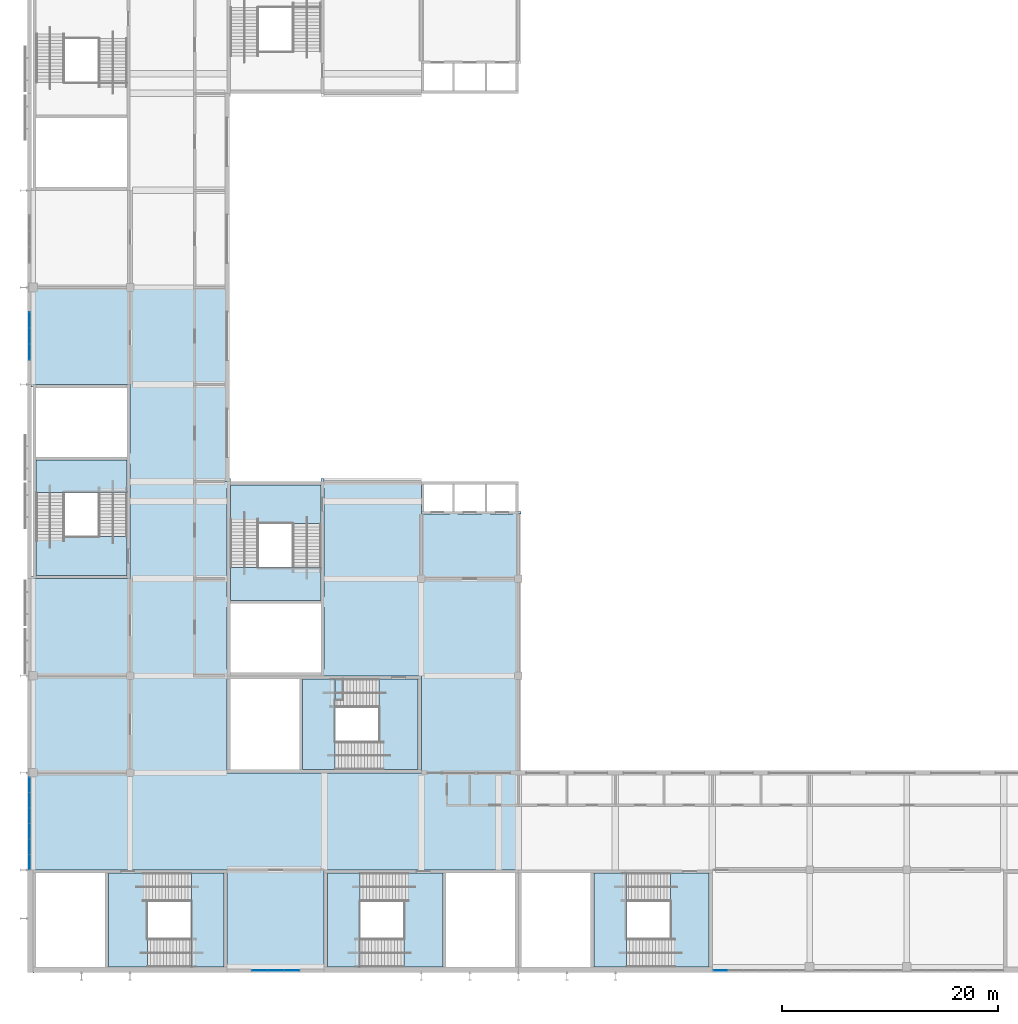
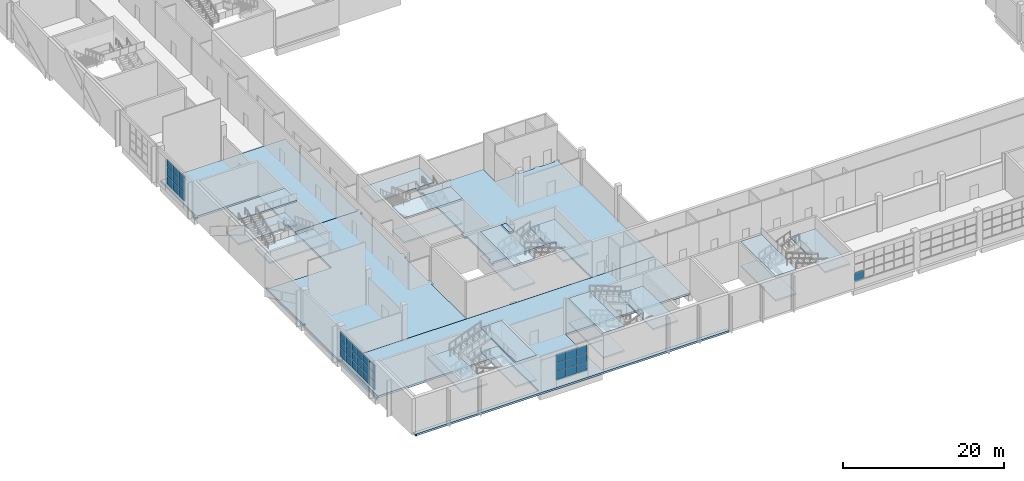
# One storey, part 26 of 84: 37 plates, 22 slabs, 10 elements without a shape of their own.
"""IFC4 building model written with IfcOpenShell, lengths in metres."""

from ifc_helpers import new_model, si_unit, direction, frame, origin, origin_2d, place, context, subcontext, project, spatial, polyline, rectangle, outline, extrude, material, layer, layer_set, type_object, element, aggregate, save


model = new_model("IFC4")

# Units and contexts
model_context = context("Model", 3, precision=1e-05, world=origin(), true_north=direction((0.0, 1.0)))
body_context = subcontext(model_context, "Body", "Model", "MODEL_VIEW")
ifc_project = project(units=[si_unit("LENGTHUNIT", "METRE"), si_unit("AREAUNIT", "SQUARE_METRE"), si_unit("VOLUMEUNIT", "CUBIC_METRE"), si_unit("PLANEANGLEUNIT", "RADIAN"), si_unit("MASSUNIT", "GRAM", prefix="KILO")], contexts=[model_context])

# Site, building, storey
site_placement = place(None, origin())
site = spatial("IfcSite", under=ifc_project, at=site_placement, CompositionType="ELEMENT")
building_placement = place(site_placement, origin())
building = spatial("IfcBuilding", under=site, at=building_placement, Name="Silverbay Arena", CompositionType="ELEMENT")
storey_placement = place(building_placement, frame((0.0, 0.0, 28.0)))
storey = spatial("IfcBuildingStorey", under=building, at=storey_placement, Name="L04", CompositionType="ELEMENT", Elevation=28.0)

# Curtain wall, plates
ifc_material_1 = material(Name="Aluminium framed curtain wall", Category="aluminium")
curtain_wall_type_1 = type_object("IfcCurtainWallType", Name="Curtain wall 4500 x 3900", PredefinedType="NOTDEFINED", material=ifc_material_1)
curtain_wall_1_placement = place(storey_placement, origin())
curtain_wall_1 = element("IfcCurtainWall", 1, at=curtain_wall_1_placement, inside=storey, type_object=curtain_wall_type_1, Name="South curtain wall L04 bay 3", PredefinedType="NOTDEFINED")
ifc_material_2 = material(Name="Laminated glass", Category="glass")
ifc_layer_1 = layer(ifc_material_2, 0.028076171875)
ifc_layer_set_1 = layer_set([ifc_layer_1], Name="Laminated glass")
plate_type = type_object("IfcPlateType", Name="Glass panel 28", PredefinedType="CURTAIN_PANEL", material=ifc_layer_set_1)
plate_1_placement = place(storey_placement, frame((75.014892578125, 17.669921875, 1.050048828125), z_axis=(0.0, 0.0, 1.0), x_axis=(1.0, 0.0, 0.0)))
plate_1 = element("IfcPlate", 2, at=plate_1_placement, type_object=plate_type, Name="CW15 panel 1.1", PredefinedType="CURTAIN_PANEL", context=body_context, shape_type="SweptSolid", body=[
    extrude(rectangle(XDim=1.409912109375, YDim=0.028076171875, at=origin_2d()), origin(), (0.0, 0.0, 1.0), 1.22509765625),
])
plate_2_placement = place(storey_placement, frame((75.014892578125, 17.669921875, 2.324951171875), z_axis=(0.0, 0.0, 1.0), x_axis=(1.0, 0.0, 0.0)))
plate_2 = element("IfcPlate", 3, at=plate_2_placement, type_object=plate_type, Name="CW15 panel 1.2", PredefinedType="CURTAIN_PANEL", context=body_context, shape_type="SweptSolid", body=[
    extrude(rectangle(XDim=1.409912109375, YDim=0.028076171875, at=origin_2d()), origin(), (0.0, 0.0, 1.0), 1.25),
])
plate_3_placement = place(storey_placement, frame((75.014892578125, 17.669921875, 3.625), z_axis=(0.0, 0.0, 1.0), x_axis=(1.0, 0.0, 0.0)))
plate_3 = element("IfcPlate", 4, at=plate_3_placement, type_object=plate_type, Name="CW15 panel 1.3", PredefinedType="CURTAIN_PANEL", context=body_context, shape_type="SweptSolid", body=[
    extrude(rectangle(XDim=1.409912109375, YDim=0.028076171875, at=origin_2d()), origin(), (0.0, 0.0, 1.0), 1.22509765625),
])
plate_4_placement = place(storey_placement, frame((76.5, 17.669921875, 1.050048828125), z_axis=(0.0, 0.0, 1.0), x_axis=(1.0, 0.0, 0.0)))
plate_4 = element("IfcPlate", 5, at=plate_4_placement, type_object=plate_type, Name="CW15 panel 2.1", PredefinedType="CURTAIN_PANEL", context=body_context, shape_type="SweptSolid", body=[
    extrude(rectangle(XDim=1.43994140625, YDim=0.028076171875, at=origin_2d()), origin(), (0.0, 0.0, 1.0), 1.22509765625),
])
plate_5_placement = place(storey_placement, frame((76.5, 17.669921875, 2.324951171875), z_axis=(0.0, 0.0, 1.0), x_axis=(1.0, 0.0, 0.0)))
plate_5 = element("IfcPlate", 6, at=plate_5_placement, type_object=plate_type, Name="CW15 panel 2.2", PredefinedType="CURTAIN_PANEL", context=body_context, shape_type="SweptSolid", body=[
    extrude(rectangle(XDim=1.43994140625, YDim=0.028076171875, at=origin_2d()), origin(), (0.0, 0.0, 1.0), 1.25),
])
plate_6_placement = place(storey_placement, frame((76.5, 17.669921875, 3.625), z_axis=(0.0, 0.0, 1.0), x_axis=(1.0, 0.0, 0.0)))
plate_6 = element("IfcPlate", 7, at=plate_6_placement, type_object=plate_type, Name="CW15 panel 2.3", PredefinedType="CURTAIN_PANEL", context=body_context, shape_type="SweptSolid", body=[
    extrude(rectangle(XDim=1.43994140625, YDim=0.028076171875, at=origin_2d()), origin(), (0.0, 0.0, 1.0), 1.22509765625),
])
plate_7_placement = place(storey_placement, frame((77.985107421875, 17.669921875, 1.050048828125), z_axis=(0.0, 0.0, 1.0), x_axis=(1.0, 0.0, 0.0)))
plate_7 = element("IfcPlate", 8, at=plate_7_placement, type_object=plate_type, Name="CW15 panel 3.1", PredefinedType="CURTAIN_PANEL", context=body_context, shape_type="SweptSolid", body=[
    extrude(rectangle(XDim=1.409912109375, YDim=0.028076171875, at=origin_2d()), origin(), (0.0, 0.0, 1.0), 1.22509765625),
])
plate_8_placement = place(storey_placement, frame((77.985107421875, 17.669921875, 2.324951171875), z_axis=(0.0, 0.0, 1.0), x_axis=(1.0, 0.0, 0.0)))
plate_8 = element("IfcPlate", 9, at=plate_8_placement, type_object=plate_type, Name="CW15 panel 3.2", PredefinedType="CURTAIN_PANEL", context=body_context, shape_type="SweptSolid", body=[
    extrude(rectangle(XDim=1.409912109375, YDim=0.028076171875, at=origin_2d()), origin(), (0.0, 0.0, 1.0), 1.25),
])
plate_9_placement = place(storey_placement, frame((77.985107421875, 17.669921875, 3.625), z_axis=(0.0, 0.0, 1.0), x_axis=(1.0, 0.0, 0.0)))
plate_9 = element("IfcPlate", 10, at=plate_9_placement, type_object=plate_type, Name="CW15 panel 3.3", PredefinedType="CURTAIN_PANEL", context=body_context, shape_type="SweptSolid", body=[
    extrude(rectangle(XDim=1.409912109375, YDim=0.028076171875, at=origin_2d()), origin(), (0.0, 0.0, 1.0), 1.22509765625),
])
aggregate(curtain_wall_1, [plate_1, plate_2, plate_3, plate_4, plate_5, plate_6, plate_7, plate_8, plate_9])

# Curtain wall, plate
ifc_material_3 = material(Name="Aluminium framed curtain wall", Category="aluminium")
curtain_wall_type_2 = type_object("IfcCurtainWallType", Name="Curtain wall 8600 x 3900", PredefinedType="NOTDEFINED", material=ifc_material_3)
curtain_wall_2_placement = place(storey_placement, origin())
curtain_wall_2 = element("IfcCurtainWall", 11, at=curtain_wall_2_placement, inside=storey, type_object=curtain_wall_type_2, Name="South curtain wall L04 bay 8", PredefinedType="NOTDEFINED")
plate_10_placement = place(storey_placement, frame((117.731689453125, 17.669921875, 1.050048828125), z_axis=(0.0, 0.0, 1.0), x_axis=(1.0, 0.0, 0.0)))
plate_10 = element("IfcPlate", 12, at=plate_10_placement, type_object=plate_type, Name="CW1 panel 1.1", PredefinedType="CURTAIN_PANEL", context=body_context, shape_type="SweptSolid", body=[
    extrude(rectangle(XDim=1.34326171875, YDim=0.028076171875, at=origin_2d()), origin(), (0.0, 0.0, 1.0), 1.22509765625),
])
aggregate(curtain_wall_2, [plate_10])

# Curtain wall, plates
curtain_wall_3_placement = place(storey_placement, origin())
curtain_wall_3 = element("IfcCurtainWall", 13, at=curtain_wall_3_placement, inside=storey, type_object=curtain_wall_type_2, Name="West curtain wall L04 bay 2", PredefinedType="NOTDEFINED")
plate_11_placement = place(storey_placement, frame((53.669921875, 34.868408203125, 1.050048828125), z_axis=(0.0, 0.0, 1.0), x_axis=(0.0, -1.0, 0.0)))
plate_11 = element("IfcPlate", 14, at=plate_11_placement, type_object=plate_type, Name="CW1 panel 1.1", PredefinedType="CURTAIN_PANEL", context=body_context, shape_type="SweptSolid", body=[
    extrude(rectangle(XDim=1.34326171875, YDim=0.028076171875, at=origin_2d()), origin(), (0.0, 0.0, 1.0), 1.22509765625),
])
plate_12_placement = place(storey_placement, frame((53.669921875, 34.868408203125, 2.324951171875), z_axis=(0.0, 0.0, 1.0), x_axis=(0.0, -1.0, 0.0)))
plate_12 = element("IfcPlate", 15, at=plate_12_placement, type_object=plate_type, Name="CW1 panel 1.2", PredefinedType="CURTAIN_PANEL", context=body_context, shape_type="SweptSolid", body=[
    extrude(rectangle(XDim=1.34326171875, YDim=0.028076171875, at=origin_2d()), origin(), (0.0, 0.0, 1.0), 1.25),
])
plate_13_placement = place(storey_placement, frame((53.669921875, 34.868408203125, 3.625), z_axis=(0.0, 0.0, 1.0), x_axis=(0.0, -1.0, 0.0)))
plate_13 = element("IfcPlate", 16, at=plate_13_placement, type_object=plate_type, Name="CW1 panel 1.3", PredefinedType="CURTAIN_PANEL", context=body_context, shape_type="SweptSolid", body=[
    extrude(rectangle(XDim=1.34326171875, YDim=0.028076171875, at=origin_2d()), origin(), (0.0, 0.0, 1.0), 1.22509765625),
])
plate_14_placement = place(storey_placement, frame((53.669921875, 33.449951171875, 1.050048828125), z_axis=(0.0, 0.0, 1.0), x_axis=(0.0, -1.0, 0.0)))
plate_14 = element("IfcPlate", 17, at=plate_14_placement, type_object=plate_type, Name="CW1 panel 2.1", PredefinedType="CURTAIN_PANEL", context=body_context, shape_type="SweptSolid", body=[
    extrude(rectangle(XDim=1.373291015625, YDim=0.028076171875, at=origin_2d()), origin(), (0.0, 0.0, 1.0), 1.22509765625),
])
plate_15_placement = place(storey_placement, frame((53.669921875, 33.449951171875, 2.324951171875), z_axis=(0.0, 0.0, 1.0), x_axis=(0.0, -1.0, 0.0)))
plate_15 = element("IfcPlate", 18, at=plate_15_placement, type_object=plate_type, Name="CW1 panel 2.2", PredefinedType="CURTAIN_PANEL", context=body_context, shape_type="SweptSolid", body=[
    extrude(rectangle(XDim=1.373291015625, YDim=0.028076171875, at=origin_2d()), origin(), (0.0, 0.0, 1.0), 1.25),
])
plate_16_placement = place(storey_placement, frame((53.669921875, 33.449951171875, 3.625), z_axis=(0.0, 0.0, 1.0), x_axis=(0.0, -1.0, 0.0)))
plate_16 = element("IfcPlate", 19, at=plate_16_placement, type_object=plate_type, Name="CW1 panel 2.3", PredefinedType="CURTAIN_PANEL", context=body_context, shape_type="SweptSolid", body=[
    extrude(rectangle(XDim=1.373291015625, YDim=0.028076171875, at=origin_2d()), origin(), (0.0, 0.0, 1.0), 1.22509765625),
])
plate_17_placement = place(storey_placement, frame((53.669921875, 32.0166015625, 1.050048828125), z_axis=(0.0, 0.0, 1.0), x_axis=(0.0, -1.0, 0.0)))
plate_17 = element("IfcPlate", 20, at=plate_17_placement, type_object=plate_type, Name="CW1 panel 3.1", PredefinedType="CURTAIN_PANEL", context=body_context, shape_type="SweptSolid", body=[
    extrude(rectangle(XDim=1.373291015625, YDim=0.028076171875, at=origin_2d()), origin(), (0.0, 0.0, 1.0), 1.22509765625),
])
plate_18_placement = place(storey_placement, frame((53.669921875, 32.0166015625, 2.324951171875), z_axis=(0.0, 0.0, 1.0), x_axis=(0.0, -1.0, 0.0)))
plate_18 = element("IfcPlate", 21, at=plate_18_placement, type_object=plate_type, Name="CW1 panel 3.2", PredefinedType="CURTAIN_PANEL", context=body_context, shape_type="SweptSolid", body=[
    extrude(rectangle(XDim=1.373291015625, YDim=0.028076171875, at=origin_2d()), origin(), (0.0, 0.0, 1.0), 1.25),
])
plate_19_placement = place(storey_placement, frame((53.669921875, 32.0166015625, 3.625), z_axis=(0.0, 0.0, 1.0), x_axis=(0.0, -1.0, 0.0)))
plate_19 = element("IfcPlate", 22, at=plate_19_placement, type_object=plate_type, Name="CW1 panel 3.3", PredefinedType="CURTAIN_PANEL", context=body_context, shape_type="SweptSolid", body=[
    extrude(rectangle(XDim=1.373291015625, YDim=0.028076171875, at=origin_2d()), origin(), (0.0, 0.0, 1.0), 1.22509765625),
])
plate_20_placement = place(storey_placement, frame((53.669921875, 30.583251953125, 1.050048828125), z_axis=(0.0, 0.0, 1.0), x_axis=(0.0, -1.0, 0.0)))
plate_20 = element("IfcPlate", 23, at=plate_20_placement, type_object=plate_type, Name="CW1 panel 4.1", PredefinedType="CURTAIN_PANEL", context=body_context, shape_type="SweptSolid", body=[
    extrude(rectangle(XDim=1.373291015625, YDim=0.028076171875, at=origin_2d()), origin(), (0.0, 0.0, 1.0), 1.22509765625),
])
plate_21_placement = place(storey_placement, frame((53.669921875, 30.583251953125, 2.324951171875), z_axis=(0.0, 0.0, 1.0), x_axis=(0.0, -1.0, 0.0)))
plate_21 = element("IfcPlate", 24, at=plate_21_placement, type_object=plate_type, Name="CW1 panel 4.2", PredefinedType="CURTAIN_PANEL", context=body_context, shape_type="SweptSolid", body=[
    extrude(rectangle(XDim=1.373291015625, YDim=0.028076171875, at=origin_2d()), origin(), (0.0, 0.0, 1.0), 1.25),
])
plate_22_placement = place(storey_placement, frame((53.669921875, 30.583251953125, 3.625), z_axis=(0.0, 0.0, 1.0), x_axis=(0.0, -1.0, 0.0)))
plate_22 = element("IfcPlate", 25, at=plate_22_placement, type_object=plate_type, Name="CW1 panel 4.3", PredefinedType="CURTAIN_PANEL", context=body_context, shape_type="SweptSolid", body=[
    extrude(rectangle(XDim=1.373291015625, YDim=0.028076171875, at=origin_2d()), origin(), (0.0, 0.0, 1.0), 1.22509765625),
])
plate_23_placement = place(storey_placement, frame((53.669921875, 29.14990234375, 1.050048828125), z_axis=(0.0, 0.0, 1.0), x_axis=(0.0, -1.0, 0.0)))
plate_23 = element("IfcPlate", 26, at=plate_23_placement, type_object=plate_type, Name="CW1 panel 5.1", PredefinedType="CURTAIN_PANEL", context=body_context, shape_type="SweptSolid", body=[
    extrude(rectangle(XDim=1.373291015625, YDim=0.028076171875, at=origin_2d()), origin(), (0.0, 0.0, 1.0), 1.22509765625),
])
plate_24_placement = place(storey_placement, frame((53.669921875, 29.14990234375, 2.324951171875), z_axis=(0.0, 0.0, 1.0), x_axis=(0.0, -1.0, 0.0)))
plate_24 = element("IfcPlate", 27, at=plate_24_placement, type_object=plate_type, Name="CW1 panel 5.2", PredefinedType="CURTAIN_PANEL", context=body_context, shape_type="SweptSolid", body=[
    extrude(rectangle(XDim=1.373291015625, YDim=0.028076171875, at=origin_2d()), origin(), (0.0, 0.0, 1.0), 1.25),
])
plate_25_placement = place(storey_placement, frame((53.669921875, 29.14990234375, 3.625), z_axis=(0.0, 0.0, 1.0), x_axis=(0.0, -1.0, 0.0)))
plate_25 = element("IfcPlate", 28, at=plate_25_placement, type_object=plate_type, Name="CW1 panel 5.3", PredefinedType="CURTAIN_PANEL", context=body_context, shape_type="SweptSolid", body=[
    extrude(rectangle(XDim=1.373291015625, YDim=0.028076171875, at=origin_2d()), origin(), (0.0, 0.0, 1.0), 1.22509765625),
])
plate_26_placement = place(storey_placement, frame((53.669921875, 27.731689453125, 1.050048828125), z_axis=(0.0, 0.0, 1.0), x_axis=(0.0, -1.0, 0.0)))
plate_26 = element("IfcPlate", 29, at=plate_26_placement, type_object=plate_type, Name="CW1 panel 6.1", PredefinedType="CURTAIN_PANEL", context=body_context, shape_type="SweptSolid", body=[
    extrude(rectangle(XDim=1.34326171875, YDim=0.028076171875, at=origin_2d()), origin(), (0.0, 0.0, 1.0), 1.22509765625),
])
plate_27_placement = place(storey_placement, frame((53.669921875, 27.731689453125, 2.324951171875), z_axis=(0.0, 0.0, 1.0), x_axis=(0.0, -1.0, 0.0)))
plate_27 = element("IfcPlate", 30, at=plate_27_placement, type_object=plate_type, Name="CW1 panel 6.2", PredefinedType="CURTAIN_PANEL", context=body_context, shape_type="SweptSolid", body=[
    extrude(rectangle(XDim=1.34326171875, YDim=0.028076171875, at=origin_2d()), origin(), (0.0, 0.0, 1.0), 1.25),
])
plate_28_placement = place(storey_placement, frame((53.669921875, 27.731689453125, 3.625), z_axis=(0.0, 0.0, 1.0), x_axis=(0.0, -1.0, 0.0)))
plate_28 = element("IfcPlate", 31, at=plate_28_placement, type_object=plate_type, Name="CW1 panel 6.3", PredefinedType="CURTAIN_PANEL", context=body_context, shape_type="SweptSolid", body=[
    extrude(rectangle(XDim=1.34326171875, YDim=0.028076171875, at=origin_2d()), origin(), (0.0, 0.0, 1.0), 1.22509765625),
])
aggregate(curtain_wall_3, [plate_11, plate_12, plate_13, plate_14, plate_15, plate_16, plate_17, plate_18, plate_19, plate_20, plate_21, plate_22, plate_23, plate_24, plate_25, plate_26, plate_27, plate_28])

curtain_wall_4_placement = place(storey_placement, origin())
curtain_wall_4 = element("IfcCurtainWall", 32, at=curtain_wall_4_placement, inside=storey, type_object=curtain_wall_type_1, Name="West curtain wall L04 bay 7", PredefinedType="NOTDEFINED")
plate_29_placement = place(storey_placement, frame((53.669921875, 77.985107421875, 1.050048828125), z_axis=(0.0, 0.0, 1.0), x_axis=(0.0, -1.0, 0.0)))
plate_29 = element("IfcPlate", 33, at=plate_29_placement, type_object=plate_type, Name="CW15 panel 1.1", PredefinedType="CURTAIN_PANEL", context=body_context, shape_type="SweptSolid", body=[
    extrude(rectangle(XDim=1.409912109375, YDim=0.028076171875, at=origin_2d()), origin(), (0.0, 0.0, 1.0), 1.22509765625),
])
plate_30_placement = place(storey_placement, frame((53.669921875, 77.985107421875, 2.324951171875), z_axis=(0.0, 0.0, 1.0), x_axis=(0.0, -1.0, 0.0)))
plate_30 = element("IfcPlate", 34, at=plate_30_placement, type_object=plate_type, Name="CW15 panel 1.2", PredefinedType="CURTAIN_PANEL", context=body_context, shape_type="SweptSolid", body=[
    extrude(rectangle(XDim=1.409912109375, YDim=0.028076171875, at=origin_2d()), origin(), (0.0, 0.0, 1.0), 1.25),
])
plate_31_placement = place(storey_placement, frame((53.669921875, 77.985107421875, 3.625), z_axis=(0.0, 0.0, 1.0), x_axis=(0.0, -1.0, 0.0)))
plate_31 = element("IfcPlate", 35, at=plate_31_placement, type_object=plate_type, Name="CW15 panel 1.3", PredefinedType="CURTAIN_PANEL", context=body_context, shape_type="SweptSolid", body=[
    extrude(rectangle(XDim=1.409912109375, YDim=0.028076171875, at=origin_2d()), origin(), (0.0, 0.0, 1.0), 1.22509765625),
])
plate_32_placement = place(storey_placement, frame((53.669921875, 76.5, 1.050048828125), z_axis=(0.0, 0.0, 1.0), x_axis=(0.0, -1.0, 0.0)))
plate_32 = element("IfcPlate", 36, at=plate_32_placement, type_object=plate_type, Name="CW15 panel 2.1", PredefinedType="CURTAIN_PANEL", context=body_context, shape_type="SweptSolid", body=[
    extrude(rectangle(XDim=1.43994140625, YDim=0.028076171875, at=origin_2d()), origin(), (0.0, 0.0, 1.0), 1.22509765625),
])
plate_33_placement = place(storey_placement, frame((53.669921875, 76.5, 2.324951171875), z_axis=(0.0, 0.0, 1.0), x_axis=(0.0, -1.0, 0.0)))
plate_33 = element("IfcPlate", 37, at=plate_33_placement, type_object=plate_type, Name="CW15 panel 2.2", PredefinedType="CURTAIN_PANEL", context=body_context, shape_type="SweptSolid", body=[
    extrude(rectangle(XDim=1.43994140625, YDim=0.028076171875, at=origin_2d()), origin(), (0.0, 0.0, 1.0), 1.25),
])
plate_34_placement = place(storey_placement, frame((53.669921875, 76.5, 3.625), z_axis=(0.0, 0.0, 1.0), x_axis=(0.0, -1.0, 0.0)))
plate_34 = element("IfcPlate", 38, at=plate_34_placement, type_object=plate_type, Name="CW15 panel 2.3", PredefinedType="CURTAIN_PANEL", context=body_context, shape_type="SweptSolid", body=[
    extrude(rectangle(XDim=1.43994140625, YDim=0.028076171875, at=origin_2d()), origin(), (0.0, 0.0, 1.0), 1.22509765625),
])
plate_35_placement = place(storey_placement, frame((53.669921875, 75.014892578125, 1.050048828125), z_axis=(0.0, 0.0, 1.0), x_axis=(0.0, -1.0, 0.0)))
plate_35 = element("IfcPlate", 39, at=plate_35_placement, type_object=plate_type, Name="CW15 panel 3.1", PredefinedType="CURTAIN_PANEL", context=body_context, shape_type="SweptSolid", body=[
    extrude(rectangle(XDim=1.409912109375, YDim=0.028076171875, at=origin_2d()), origin(), (0.0, 0.0, 1.0), 1.22509765625),
])
plate_36_placement = place(storey_placement, frame((53.669921875, 75.014892578125, 2.324951171875), z_axis=(0.0, 0.0, 1.0), x_axis=(0.0, -1.0, 0.0)))
plate_36 = element("IfcPlate", 40, at=plate_36_placement, type_object=plate_type, Name="CW15 panel 3.2", PredefinedType="CURTAIN_PANEL", context=body_context, shape_type="SweptSolid", body=[
    extrude(rectangle(XDim=1.409912109375, YDim=0.028076171875, at=origin_2d()), origin(), (0.0, 0.0, 1.0), 1.25),
])
plate_37_placement = place(storey_placement, frame((53.669921875, 75.014892578125, 3.625), z_axis=(0.0, 0.0, 1.0), x_axis=(0.0, -1.0, 0.0)))
plate_37 = element("IfcPlate", 41, at=plate_37_placement, type_object=plate_type, Name="CW15 panel 3.3", PredefinedType="CURTAIN_PANEL", context=body_context, shape_type="SweptSolid", body=[
    extrude(rectangle(XDim=1.409912109375, YDim=0.028076171875, at=origin_2d()), origin(), (0.0, 0.0, 1.0), 1.22509765625),
])
aggregate(curtain_wall_4, [plate_29, plate_30, plate_31, plate_32, plate_33, plate_34, plate_35, plate_36, plate_37])

# Slabs
ifc_material_4 = material(Name="Concrete Grade C45", Category="concrete")
ifc_layer_2 = layer(ifc_material_4, 0.300048828125)
ifc_layer_set_2 = layer_set([ifc_layer_2], Name="Concrete Grade C45")
slab_type_1 = type_object("IfcSlabType", Name="RC floor slab 300", PredefinedType="FLOOR", material=ifc_layer_set_2)
slab_1_placement = place(storey_placement, frame((0.0, 0.0, -0.300048828125)))
element("IfcSlab", 42, at=slab_1_placement, inside=storey, type_object=slab_type_1, Name="Floor slab L04 unit 1", PredefinedType="FLOOR", context=body_context, shape_type="SweptSolid", body=[
    extrude(outline(polyline([(54.0, 18.074951171875), (54.074951171875, 18.074951171875), (54.074951171875, 18.0), (72.0, 18.0), (72.0, 27.0), (54.074951171875, 27.0), (54.074951171875, 26.925048828125), (54.0, 26.925048828125), (54.0, 26.75), (53.75, 26.75), (53.75, 27.324951171875), (53.824951171875, 27.324951171875), (53.824951171875, 35.85009765625), (54.0, 35.85009765625), (54.0, 27.074951171875), (54.074951171875, 27.074951171875), (54.074951171875, 35.97509765625), (99.0, 35.97509765625), (99.0, 27.0), (81.0, 27.0), (81.0, 18.0), (99.0, 18.0), (99.0, 17.5), (54.074951171875, 17.5), (54.074951171875, 17.425048828125), (54.0, 17.425048828125), (54.0, 18.074951171875)])), origin(), (0.0, 0.0, 1.0), 0.300048828125),
])
slab_2_placement = place(storey_placement, frame((0.0, 0.0, -0.300048828125)))
element("IfcSlab", 43, at=slab_2_placement, inside=storey, type_object=slab_type_1, Name="Floor slab L04 unit 4", PredefinedType="FLOOR", context=body_context, shape_type="SweptSolid", body=[
    extrude(outline(polyline([(54.074951171875, 35.97509765625), (54.074951171875, 36.125), (53.800048828125, 36.125), (53.800048828125, 44.875), (54.074951171875, 44.875), (54.074951171875, 45.125), (53.800048828125, 45.125), (53.800048828125, 54.27490234375), (54.074951171875, 54.27490234375), (54.074951171875, 54.0), (63.0, 54.0), (63.0, 63.0), (72.0, 63.0), (72.0, 63.300048828125), (72.300048828125, 63.300048828125), (72.300048828125, 62.39990234375), (72.0, 62.39990234375), (72.0, 52.300048828125), (72.300048828125, 52.300048828125), (72.300048828125, 51.39990234375), (72.0, 51.39990234375), (72.0, 45.60009765625), (72.300048828125, 45.60009765625), (72.300048828125, 44.699951171875), (72.0, 44.699951171875), (72.0, 36.0), (78.39990234375, 36.0), (78.39990234375, 36.300048828125), (79.300048828125, 36.300048828125), (79.300048828125, 36.0), (90.0, 36.0), (90.0, 45.0), (81.0, 45.0), (81.0, 44.699951171875), (80.699951171875, 44.699951171875), (80.699951171875, 45.60009765625), (81.0, 45.60009765625), (81.0, 51.39990234375), (80.699951171875, 51.39990234375), (80.699951171875, 52.300048828125), (81.0, 52.300048828125), (81.0, 62.39990234375), (80.699951171875, 62.39990234375), (80.699951171875, 63.300048828125), (81.0, 63.300048828125), (81.0, 63.0), (90.0, 63.0), (90.0, 60.0), (92.64990234375, 60.0), (92.64990234375, 60.25), (93.35009765625, 60.25), (93.35009765625, 60.0), (95.64990234375, 60.0), (95.64990234375, 60.25), (96.35009765625, 60.25), (96.35009765625, 60.0), (98.5, 60.0), (98.5, 60.25), (99.25, 60.25), (99.25, 60.0), (99.0, 60.0), (99.0, 35.97509765625), (54.074951171875, 35.97509765625)])), origin(), (0.0, 0.0, 1.0), 0.300048828125),
])
slab_3_placement = place(storey_placement, frame((0.0, 0.0, -0.300048828125)))
element("IfcSlab", 44, at=slab_3_placement, inside=storey, type_object=slab_type_1, Name="Floor slab L04 unit 6", PredefinedType="FLOOR", context=body_context, shape_type="SweptSolid", body=[
    extrude(outline(polyline([(63.0, 64.699951171875), (62.699951171875, 64.699951171875), (62.699951171875, 65.60009765625), (63.0, 65.60009765625), (63.0, 72.0), (54.074951171875, 72.0), (54.074951171875, 71.77490234375), (53.85009765625, 71.77490234375), (53.85009765625, 71.89990234375), (53.75, 71.89990234375), (53.75, 72.324951171875), (53.85009765625, 72.324951171875), (53.85009765625, 72.22509765625), (54.074951171875, 72.22509765625), (54.074951171875, 81.0), (72.0, 81.0), (72.0, 63.0), (63.0, 63.0), (63.0, 64.699951171875)])), origin(), (0.0, 0.0, 1.0), 0.300048828125),
])

# Stair, slab
ifc_material_5 = material(Name="Concrete Grade C45", Category="concrete")
stair_type = type_object("IfcStairType", Name="Stair 2600 wide 48 risers 114.6 x 300", PredefinedType="HALF_TURN_STAIR", material=ifc_material_5)
stair_1_placement = place(storey_placement, origin())
stair_1 = element("IfcStair", 45, at=stair_1_placement, inside=storey, type_object=stair_type, Name="Stair ST-SW1 L04 to L05", PredefinedType="HALF_TURN_STAIR")
ifc_material_6 = material(Name="Concrete Grade C45", Category="concrete")
ifc_layer_3 = layer(ifc_material_6, 0.25)
ifc_layer_set_3 = layer_set([ifc_layer_3], Name="Concrete Grade C45")
slab_type_2 = type_object("IfcSlabType", Name="Stair arrival platform RC 250", PredefinedType="FLOOR", material=ifc_layer_set_3)
slab_4_placement = place(storey_placement, frame((0.0, 0.0, 5.25)))
slab_4 = element("IfcSlab", 46, at=slab_4_placement, type_object=slab_type_2, Name="Stair ST-SW1 L04 to L05 arrival platform 4", PredefinedType="FLOOR", context=body_context, shape_type="SweptSolid", body=[
    extrude(outline(polyline([(82.700439453125, 44.699951171875), (82.0205078125, 44.699951171875), (82.0205078125, 42.800048828125), (82.700439453125, 42.800048828125), (82.700439453125, 44.699951171875)])), origin(), (0.0, 0.0, 1.0), 0.25),
])

# Stair, slabs
stair_2_placement = place(storey_placement, origin())
stair_2 = element("IfcStair", 47, at=stair_2_placement, inside=storey, type_object=stair_type, Name="Stair ST-S1 L04 to L05", PredefinedType="HALF_TURN_STAIR")
ifc_material_7 = material(Name="Concrete Grade C45", Category="concrete")
ifc_layer_4 = layer(ifc_material_7, 0.25)
ifc_layer_set_4 = layer_set([ifc_layer_4], Name="Concrete Grade C45")
slab_type_3 = type_object("IfcSlabType", Name="Stair landing RC 250", PredefinedType="LANDING", material=ifc_layer_set_4)
slab_5_placement = place(storey_placement, frame((0.0, 0.0, 1.583251953125)))
slab_5 = element("IfcSlab", 48, at=slab_5_placement, type_object=slab_type_3, Name="Stair ST-S1 L04 to L05 landing 1", PredefinedType="LANDING", context=body_context, shape_type="SweptSolid", body=[
    extrude(outline(polyline([(84.3203125, 26.699951171875), (81.300048828125, 26.699951171875), (81.300048828125, 18.0), (84.3203125, 18.0), (84.3203125, 26.699951171875)])), origin(), (0.0, 0.0, 1.0), 0.25),
])
slab_6_placement = place(storey_placement, frame((0.0, 0.0, 3.416748046875)))
slab_6 = element("IfcSlab", 49, at=slab_6_placement, type_object=slab_type_3, Name="Stair ST-S1 L04 to L05 landing 2", PredefinedType="LANDING", context=body_context, shape_type="SweptSolid", body=[
    extrude(outline(polyline([(92.0, 26.699951171875), (88.39990234375, 26.699951171875), (88.39990234375, 18.0), (92.0, 18.0), (92.0, 26.699951171875)])), origin(), (0.0, 0.0, 1.0), 0.25),
])
slab_7_placement = place(storey_placement, frame((0.0, 0.0, 5.25)))
slab_7 = element("IfcSlab", 50, at=slab_7_placement, type_object=slab_type_3, Name="Stair ST-S1 L04 to L05 landing 3", PredefinedType="LANDING", context=body_context, shape_type="SweptSolid", body=[
    extrude(outline(polyline([(84.3203125, 26.699951171875), (81.300048828125, 26.699951171875), (81.300048828125, 18.0), (84.3203125, 18.0), (84.3203125, 26.699951171875)])), origin(), (0.0, 0.0, 1.0), 0.25),
])
aggregate(stair_2, [slab_5, slab_6, slab_7])

stair_3_placement = place(storey_placement, origin())
stair_3 = element("IfcStair", 51, at=stair_3_placement, inside=storey, type_object=stair_type, Name="Stair ST-S2 L04 to L05", PredefinedType="HALF_TURN_STAIR")
slab_8_placement = place(storey_placement, frame((0.0, 0.0, 1.583251953125)))
slab_8 = element("IfcSlab", 52, at=slab_8_placement, type_object=slab_type_3, Name="Stair ST-S2 L04 to L05 landing 1", PredefinedType="LANDING", context=body_context, shape_type="SweptSolid", body=[
    extrude(outline(polyline([(109.0205078125, 26.699951171875), (106.0, 26.699951171875), (106.0, 18.0), (109.0205078125, 18.0), (109.0205078125, 26.699951171875)])), origin(), (0.0, 0.0, 1.0), 0.25),
])
slab_9_placement = place(storey_placement, frame((0.0, 0.0, 3.416748046875)))
slab_9 = element("IfcSlab", 53, at=slab_9_placement, type_object=slab_type_3, Name="Stair ST-S2 L04 to L05 landing 2", PredefinedType="LANDING", context=body_context, shape_type="SweptSolid", body=[
    extrude(outline(polyline([(116.699951171875, 26.699951171875), (113.10009765625, 26.699951171875), (113.10009765625, 18.0), (116.699951171875, 18.0), (116.699951171875, 26.699951171875)])), origin(), (0.0, 0.0, 1.0), 0.25),
])
slab_10_placement = place(storey_placement, frame((0.0, 0.0, 5.25)))
slab_10 = element("IfcSlab", 54, at=slab_10_placement, type_object=slab_type_3, Name="Stair ST-S2 L04 to L05 landing 3", PredefinedType="LANDING", context=body_context, shape_type="SweptSolid", body=[
    extrude(outline(polyline([(109.0205078125, 26.699951171875), (106.0, 26.699951171875), (106.0, 18.0), (109.0205078125, 18.0), (109.0205078125, 26.699951171875)])), origin(), (0.0, 0.0, 1.0), 0.25),
])
aggregate(stair_3, [slab_8, slab_9, slab_10])

stair_4_placement = place(storey_placement, origin())
stair_4 = element("IfcStair", 55, at=stair_4_placement, inside=storey, type_object=stair_type, Name="Stair ST-S5 L04 to L05", PredefinedType="HALF_TURN_STAIR")
slab_11_placement = place(storey_placement, frame((0.0, 0.0, 1.583251953125)))
slab_11 = element("IfcSlab", 56, at=slab_11_placement, type_object=slab_type_3, Name="Stair ST-S5 L04 to L05 landing 1", PredefinedType="LANDING", context=body_context, shape_type="SweptSolid", body=[
    extrude(outline(polyline([(68.6796875, 26.699951171875), (71.699951171875, 26.699951171875), (71.699951171875, 18.0), (68.6796875, 18.0), (68.6796875, 26.699951171875)])), origin(), (0.0, 0.0, 1.0), 0.25),
])
slab_12_placement = place(storey_placement, frame((0.0, 0.0, 3.416748046875)))
slab_12 = element("IfcSlab", 57, at=slab_12_placement, type_object=slab_type_3, Name="Stair ST-S5 L04 to L05 landing 2", PredefinedType="LANDING", context=body_context, shape_type="SweptSolid", body=[
    extrude(outline(polyline([(61.0, 26.699951171875), (64.60009765625, 26.699951171875), (64.60009765625, 18.0), (61.0, 18.0), (61.0, 26.699951171875)])), origin(), (0.0, 0.0, 1.0), 0.25),
])
slab_13_placement = place(storey_placement, frame((0.0, 0.0, 5.25)))
slab_13 = element("IfcSlab", 58, at=slab_13_placement, type_object=slab_type_3, Name="Stair ST-S5 L04 to L05 landing 3", PredefinedType="LANDING", context=body_context, shape_type="SweptSolid", body=[
    extrude(outline(polyline([(68.6796875, 26.699951171875), (71.699951171875, 26.699951171875), (71.699951171875, 18.0), (68.6796875, 18.0), (68.6796875, 26.699951171875)])), origin(), (0.0, 0.0, 1.0), 0.25),
])
aggregate(stair_4, [slab_11, slab_12, slab_13])

stair_5_placement = place(storey_placement, origin())
stair_5 = element("IfcStair", 59, at=stair_5_placement, inside=storey, type_object=stair_type, Name="Stair ST-W1 L04 to L05", PredefinedType="HALF_TURN_STAIR")
slab_14_placement = place(storey_placement, frame((0.0, 0.0, 1.583251953125)))
slab_14 = element("IfcSlab", 60, at=slab_14_placement, type_object=slab_type_3, Name="Stair ST-W1 L04 to L05 landing 1", PredefinedType="LANDING", context=body_context, shape_type="SweptSolid", body=[
    extrude(outline(polyline([(62.699951171875, 61.9794921875), (62.699951171875, 65.0), (54.300048828125, 65.0), (54.300048828125, 61.9794921875), (62.699951171875, 61.9794921875)])), origin(), (0.0, 0.0, 1.0), 0.25),
])
slab_15_placement = place(storey_placement, frame((0.0, 0.0, 3.416748046875)))
slab_15 = element("IfcSlab", 61, at=slab_15_placement, type_object=slab_type_3, Name="Stair ST-W1 L04 to L05 landing 2", PredefinedType="LANDING", context=body_context, shape_type="SweptSolid", body=[
    extrude(outline(polyline([(62.699951171875, 54.300048828125), (62.699951171875, 57.89990234375), (54.300048828125, 57.89990234375), (54.300048828125, 54.300048828125), (62.699951171875, 54.300048828125)])), origin(), (0.0, 0.0, 1.0), 0.25),
])
slab_16_placement = place(storey_placement, frame((0.0, 0.0, 5.25)))
slab_16 = element("IfcSlab", 62, at=slab_16_placement, type_object=slab_type_3, Name="Stair ST-W1 L04 to L05 landing 3", PredefinedType="LANDING", context=body_context, shape_type="SweptSolid", body=[
    extrude(outline(polyline([(62.699951171875, 61.9794921875), (62.699951171875, 65.0), (54.300048828125, 65.0), (54.300048828125, 61.9794921875), (62.699951171875, 61.9794921875)])), origin(), (0.0, 0.0, 1.0), 0.25),
])
aggregate(stair_5, [slab_14, slab_15, slab_16])

# Slab
slab_17_placement = place(storey_placement, frame((0.0, 0.0, 1.583251953125)))
slab_17 = element("IfcSlab", 63, at=slab_17_placement, type_object=slab_type_3, Name="Stair ST-SW1 L04 to L05 landing 1", PredefinedType="LANDING", context=body_context, shape_type="SweptSolid", body=[
    extrude(outline(polyline([(82.0205078125, 44.699951171875), (79.0, 44.699951171875), (79.0, 36.300048828125), (82.0205078125, 36.300048828125), (82.0205078125, 44.699951171875)])), origin(), (0.0, 0.0, 1.0), 0.25),
])

slab_18_placement = place(storey_placement, frame((0.0, 0.0, 3.416748046875)))
slab_18 = element("IfcSlab", 64, at=slab_18_placement, type_object=slab_type_3, Name="Stair ST-SW1 L04 to L05 landing 2", PredefinedType="LANDING", context=body_context, shape_type="SweptSolid", body=[
    extrude(outline(polyline([(89.699951171875, 44.699951171875), (86.10009765625, 44.699951171875), (86.10009765625, 36.300048828125), (89.699951171875, 36.300048828125), (89.699951171875, 44.699951171875)])), origin(), (0.0, 0.0, 1.0), 0.25),
])

slab_19_placement = place(storey_placement, frame((0.0, 0.0, 5.25)))
slab_19 = element("IfcSlab", 65, at=slab_19_placement, type_object=slab_type_3, Name="Stair ST-SW1 L04 to L05 landing 3", PredefinedType="LANDING", context=body_context, shape_type="SweptSolid", body=[
    extrude(outline(polyline([(82.0205078125, 44.699951171875), (79.0, 44.699951171875), (79.0, 36.300048828125), (82.0205078125, 36.300048828125), (82.0205078125, 44.699951171875)])), origin(), (0.0, 0.0, 1.0), 0.25),
])

aggregate(stair_1, [slab_17, slab_18, slab_19, slab_4])

# Stair, slabs
stair_6_placement = place(storey_placement, origin())
stair_6 = element("IfcStair", 66, at=stair_6_placement, inside=storey, type_object=stair_type, Name="Stair ST-SW2 L04 to L05", PredefinedType="HALF_TURN_STAIR")
slab_20_placement = place(storey_placement, frame((0.0, 0.0, 1.583251953125)))
slab_20 = element("IfcSlab", 67, at=slab_20_placement, type_object=slab_type_3, Name="Stair ST-SW2 L04 to L05 landing 1", PredefinedType="LANDING", context=body_context, shape_type="SweptSolid", body=[
    extrude(outline(polyline([(80.699951171875, 55.0205078125), (80.699951171875, 52.0), (72.300048828125, 52.0), (72.300048828125, 55.0205078125), (80.699951171875, 55.0205078125)])), origin(), (0.0, 0.0, 1.0), 0.25),
])
slab_21_placement = place(storey_placement, frame((0.0, 0.0, 3.416748046875)))
slab_21 = element("IfcSlab", 68, at=slab_21_placement, type_object=slab_type_3, Name="Stair ST-SW2 L04 to L05 landing 2", PredefinedType="LANDING", context=body_context, shape_type="SweptSolid", body=[
    extrude(outline(polyline([(80.699951171875, 62.699951171875), (80.699951171875, 59.10009765625), (72.300048828125, 59.10009765625), (72.300048828125, 62.699951171875), (80.699951171875, 62.699951171875)])), origin(), (0.0, 0.0, 1.0), 0.25),
])
slab_22_placement = place(storey_placement, frame((0.0, 0.0, 5.25)))
slab_22 = element("IfcSlab", 69, at=slab_22_placement, type_object=slab_type_3, Name="Stair ST-SW2 L04 to L05 landing 3", PredefinedType="LANDING", context=body_context, shape_type="SweptSolid", body=[
    extrude(outline(polyline([(80.699951171875, 55.0205078125), (80.699951171875, 52.0), (72.300048828125, 52.0), (72.300048828125, 55.0205078125), (80.699951171875, 55.0205078125)])), origin(), (0.0, 0.0, 1.0), 0.25),
])
aggregate(stair_6, [slab_20, slab_21, slab_22])

save(model, "model.ifc")
